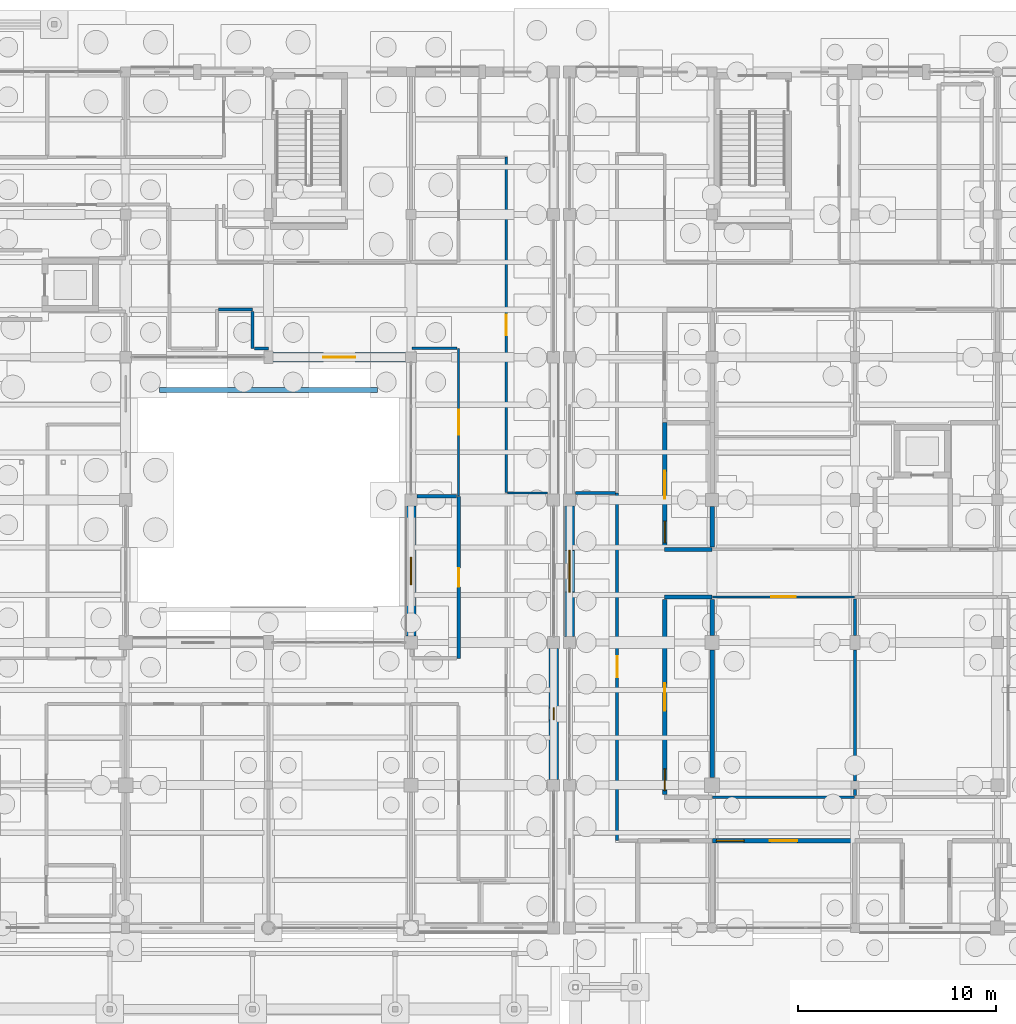
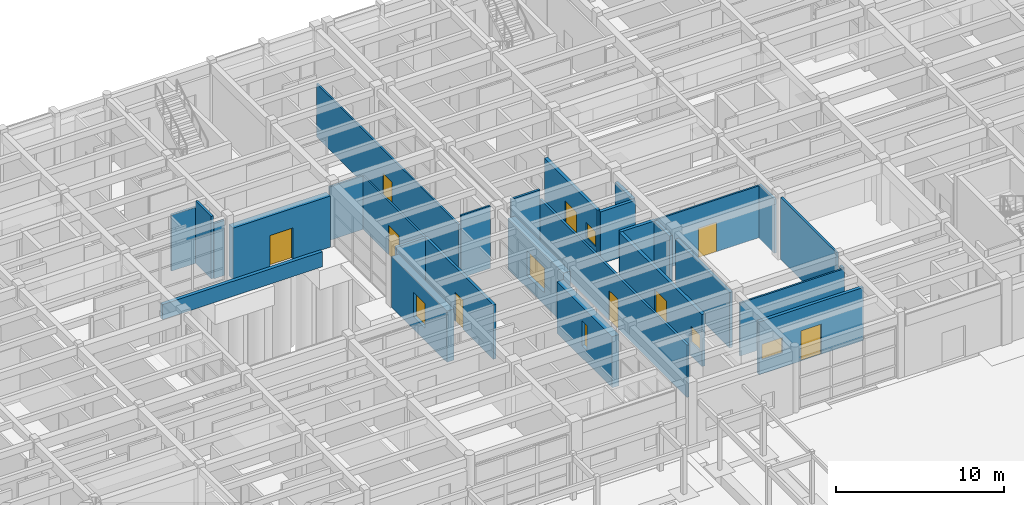
# One storey, part 113 of 143: 29 walls, 9 doors, 6 windows, 15 openings.
"""IFC4 building model written with IfcOpenShell, lengths in metres."""

from ifc_helpers import new_model, si_unit, direction, frame, frame_2d, origin, place, context, subcontext, project, spatial, rectangle, extrude, material, layer, layer_set, type_object, element, fill, save


model = new_model("IFC4")

# Units and contexts
model_context = context("Model", 3, precision=1e-05, world=origin(), true_north=direction((0.0, 1.0)))
body_context = subcontext(model_context, "Body", "Model", "MODEL_VIEW")
ifc_project = project(units=[si_unit("LENGTHUNIT", "METRE"), si_unit("AREAUNIT", "SQUARE_METRE"), si_unit("VOLUMEUNIT", "CUBIC_METRE"), si_unit("PLANEANGLEUNIT", "RADIAN"), si_unit("MASSUNIT", "GRAM", prefix="KILO")], contexts=[model_context])

# Site, building, storey
site_placement = place(None, origin())
site = spatial("IfcSite", under=ifc_project, at=site_placement, CompositionType="ELEMENT")
building_placement = place(site_placement, origin())
building = spatial("IfcBuilding", under=site, at=building_placement, Name="Steenspoor Specialist Clinic", CompositionType="ELEMENT")
storey_placement = place(building_placement, origin())
storey = spatial("IfcBuildingStorey", under=building, at=storey_placement, Name="L00", CompositionType="ELEMENT", Elevation=0.0)

# Wall, opening, window
ifc_material_1 = material(Name="Volcanic basalt ashlar masonry", Category="masonry")
ifc_layer_1 = layer(ifc_material_1, 0.47998046875)
ifc_layer_set_1 = layer_set([ifc_layer_1], Name="Volcanic basalt ashlar masonry")
wall_type_1 = type_object("IfcWallType", Name="W-BASALT-480", PredefinedType="SOLIDWALL", material=ifc_layer_set_1)
wall_1_placement = place(storey_placement, frame((117.199951171875, 79.25, 0.0), z_axis=(0.0, 0.0, 1.0), x_axis=(0.0, -1.0, 0.0)))
wall_1 = element("IfcWall", 1, at=wall_1_placement, inside=storey, type_object=wall_type_1, Name="Exterior Brick Wall EW-V4-L00-0100", PredefinedType="SOLIDWALL", context=body_context, shape_type="SweptSolid", body=[
    extrude(rectangle(XDim=6.60009765625, YDim=0.47998046875, at=frame_2d((3.300048828125, 0.0))), origin(), (0.0, 0.0, 1.0), 3.72998046875),
])
opening_1_placement = place(wall_1_placement, frame((3.0, 0.0, 0.89990234375)))
opening_1 = element("IfcOpeningElement", 2, at=opening_1_placement, cuts=wall_1, Name="Opening WN-01", PredefinedType="OPENING", context=body_context, shape_type="SweptSolid", body=[
    extrude(rectangle(XDim=0.60009765625, YDim=1.800048828125, at=frame_2d((0.300048828125, 0.89990234375))), frame((0.0, 0.25, 0.0), z_axis=(0.0, -1.0, 0.0), x_axis=(1.0, 0.0, 0.0)), (0.0, 0.0, 1.0), 0.5),
])
ifc_material_2 = material(Name="Thermally broken aluminium and low-emissivity glass", Category="aluminium")
window_type_1 = type_object("IfcWindowType", Name="WN-EXT-060X180", PartitioningType="SINGLE_PANEL", PredefinedType="WINDOW", material=ifc_material_2)
window_1_placement = place(opening_1_placement, origin())
window_1 = element("IfcWindow", 3, at=window_1_placement, inside=storey, type_object=window_type_1, Name="Window 0121", OverallHeight=1.800048828125, OverallWidth=0.60009765625, PartitioningType="SINGLE_PANEL", PredefinedType="WINDOW", context=body_context, shape_type="SweptSolid", body=[
    extrude(rectangle(XDim=0.60009765625, YDim=1.800048828125, at=frame_2d((0.300048828125, 0.89990234375))), frame((0.0, 0.030029296875, 0.0), z_axis=(0.0, -1.0, 0.0), x_axis=(1.0, 0.0, 0.0)), (0.0, 0.0, 1.0), 0.06005859375),
])
fill(opening_1, window_1)

wall_2_placement = place(storey_placement, frame((110.0, 79.875, 0.0), z_axis=(0.0, 0.0, 1.0), x_axis=(0.0, 1.0, 0.0)))
wall_2 = element("IfcWall", 4, at=wall_2_placement, inside=storey, type_object=wall_type_1, Name="Exterior Brick Wall EW-V4-L00-0105", PredefinedType="SOLIDWALL", context=body_context, shape_type="SweptSolid", body=[
    extrude(rectangle(XDim=6.574951171875, YDim=0.47998046875, at=frame_2d((3.28759765625, 0.0))), origin(), (0.0, 0.0, 1.0), 3.72998046875),
])
opening_2_placement = place(wall_2_placement, frame((2.58740234375, 0.0, 0.89990234375)))
opening_2 = element("IfcOpeningElement", 5, at=opening_2_placement, cuts=wall_2, Name="Opening WN-06", PredefinedType="OPENING", context=body_context, shape_type="SweptSolid", body=[
    extrude(rectangle(XDim=1.39990234375, YDim=1.800048828125, at=frame_2d((0.699951171875, 0.89990234375))), frame((0.0, 0.25, 0.0), z_axis=(0.0, -1.0, 0.0), x_axis=(1.0, 0.0, 0.0)), (0.0, 0.0, 1.0), 0.5),
])
window_type_2 = type_object("IfcWindowType", Name="WN-EXT-140X180", PartitioningType="SINGLE_PANEL", PredefinedType="WINDOW", material=ifc_material_2)
window_2_placement = place(opening_2_placement, origin())
window_2 = element("IfcWindow", 6, at=window_2_placement, inside=storey, type_object=window_type_2, Name="Window 0126", OverallHeight=1.800048828125, OverallWidth=1.39990234375, PartitioningType="SINGLE_PANEL", PredefinedType="WINDOW", context=body_context, shape_type="SweptSolid", body=[
    extrude(rectangle(XDim=1.39990234375, YDim=1.800048828125, at=frame_2d((0.699951171875, 0.89990234375))), frame((0.0, 0.030029296875, 0.0), z_axis=(0.0, -1.0, 0.0), x_axis=(1.0, 0.0, 0.0)), (0.0, 0.0, 1.0), 0.06005859375),
])
fill(opening_2, window_2)

# Wall, opening, door
wall_3_placement = place(storey_placement, frame((109.72509765625, 93.949951171875, 0.0), z_axis=(0.0, 0.0, 1.0), x_axis=(-1.0, 0.0, 0.0)))
wall_3 = element("IfcWall", 7, at=wall_3_placement, inside=storey, type_object=wall_type_1, Name="Exterior Brick Wall EW-V4-L00-0106", PredefinedType="SOLIDWALL", context=body_context, shape_type="SweptSolid", body=[
    extrude(rectangle(XDim=6.7001953125, YDim=0.47998046875, at=frame_2d((3.35009765625, 0.0))), origin(), (0.0, 0.0, 1.0), 3.72998046875),
])
opening_3_placement = place(wall_3_placement, frame((2.550048828125, 0.0, 0.0)))
opening_3 = element("IfcOpeningElement", 8, at=opening_3_placement, cuts=wall_3, Name="Opening ED20", PredefinedType="OPENING", context=body_context, shape_type="SweptSolid", body=[
    extrude(rectangle(XDim=1.60009765625, YDim=2.300048828125, at=frame_2d((0.800048828125, 1.14990234375))), frame((0.0, 0.25, 0.0), z_axis=(0.0, -1.0, 0.0), x_axis=(1.0, 0.0, 0.0)), (0.0, 0.0, 1.0), 0.5),
])
ifc_material_3 = material(Name="Anodised aluminium and safety glass", Category="aluminium")
door_type_1 = type_object("IfcDoorType", Name="DT-EXIT-160X230", OperationType="NOTDEFINED", PredefinedType="DOOR", material=ifc_material_3)
door_1_placement = place(opening_3_placement, origin())
door_1 = element("IfcDoor", 9, at=door_1_placement, inside=storey, type_object=door_type_1, Name="Main Pedestrian Entrance Exit ED20", OperationType="DOUBLE_DOOR_SINGLE_SWING", OverallHeight=2.300048828125, OverallWidth=1.60009765625, PredefinedType="DOOR", context=body_context, shape_type="SweptSolid", body=[
    extrude(rectangle(XDim=1.60009765625, YDim=2.300048828125, at=frame_2d((0.800048828125, 1.14990234375))), frame((0.0, 0.02490234375, 0.0), z_axis=(0.0, -1.0, 0.0), x_axis=(1.0, 0.0, 0.0)), (0.0, 0.0, 1.0), 0.050048828125),
])
fill(opening_3, door_1)

# Wall, opening, window
wall_4_placement = place(storey_placement, frame((118.0, 79.85009765625, 0.0), z_axis=(0.0, 0.0, 1.0), x_axis=(0.0, 1.0, 0.0)))
wall_4 = element("IfcWall", 10, at=wall_4_placement, inside=storey, type_object=wall_type_1, Name="Exterior Brick Wall EW-V6-L00-0300", PredefinedType="SOLIDWALL", context=body_context, shape_type="SweptSolid", body=[
    extrude(rectangle(XDim=6.599853515625, YDim=0.47998046875, at=frame_2d((3.2998046875, 0.0))), origin(), (0.0, 0.0, 1.0), 3.699951171875),
])
opening_4_placement = place(wall_4_placement, frame((2.25, 0.0, 0.89990234375)))
opening_4 = element("IfcOpeningElement", 11, at=opening_4_placement, cuts=wall_4, Name="Opening WN-09", PredefinedType="OPENING", context=body_context, shape_type="SweptSolid", body=[
    extrude(rectangle(XDim=2.10009765625, YDim=1.800048828125, at=frame_2d((1.050048828125, 0.89990234375))), frame((0.0, 0.25, 0.0), z_axis=(0.0, -1.0, 0.0), x_axis=(1.0, 0.0, 0.0)), (0.0, 0.0, 1.0), 0.5),
])
window_type_3 = type_object("IfcWindowType", Name="WN-EXT-210X180", PartitioningType="SINGLE_PANEL", PredefinedType="WINDOW", material=ifc_material_2)
window_3_placement = place(opening_4_placement, origin())
window_3 = element("IfcWindow", 12, at=window_3_placement, inside=storey, type_object=window_type_3, Name="Window 0321", OverallHeight=1.800048828125, OverallWidth=2.10009765625, PartitioningType="SINGLE_PANEL", PredefinedType="WINDOW", context=body_context, shape_type="SweptSolid", body=[
    extrude(rectangle(XDim=2.10009765625, YDim=1.800048828125, at=frame_2d((1.050048828125, 0.89990234375))), frame((0.0, 0.030029296875, 0.0), z_axis=(0.0, -1.0, 0.0), x_axis=(1.0, 0.0, 0.0)), (0.0, 0.0, 1.0), 0.06005859375),
])
fill(opening_4, window_3)

# Walls
ifc_material_4 = material(Name="Gypsum acoustic clinical partition", Category="gypsum")
ifc_layer_2 = layer(ifc_material_4, 0.14990234375)
ifc_layer_set_2 = layer_set([ifc_layer_2], Name="Gypsum acoustic clinical partition")
wall_type_2 = type_object("IfcWallType", Name="W-CLIN-150", PredefinedType="PARTITIONING", material=ifc_layer_set_2)
wall_5_placement = place(storey_placement, frame((100.2900390625, 96.35009765625, 0.0), z_axis=(0.0, 0.0, 1.0), x_axis=(1.0, 0.0, 0.0)))
element("IfcWall", 13, at=wall_5_placement, inside=storey, type_object=wall_type_2, Name="Interior Partition IW-V4-L00-0260", PredefinedType="PARTITIONING", context=body_context, shape_type="SweptSolid", body=[
    extrude(rectangle(XDim=1.7099609375, YDim=0.14990234375, at=frame_2d((0.85498046875, 0.0))), origin(), (0.0, 0.0, 1.0), 4.074951171875),
])
wall_6_placement = place(storey_placement, frame((102.0, 94.39990234375, 0.0), z_axis=(0.0, 0.0, 1.0), x_axis=(0.0, 1.0, 0.0)))
element("IfcWall", 14, at=wall_6_placement, inside=storey, type_object=wall_type_2, Name="Interior Partition IW-V4-L00-0261", PredefinedType="PARTITIONING", context=body_context, shape_type="SweptSolid", body=[
    extrude(rectangle(XDim=1.860107421875, YDim=0.14990234375, at=frame_2d((0.93017578125, 0.0))), origin(), (0.0, 0.0, 1.0), 4.550048828125),
])
wall_7_placement = place(storey_placement, frame((102.090087890625, 94.39990234375, 0.0), z_axis=(0.0, 0.0, 1.0), x_axis=(1.0, 0.0, 0.0)))
element("IfcWall", 15, at=wall_7_placement, inside=storey, type_object=wall_type_2, Name="Interior Partition IW-V4-L00-0262", PredefinedType="PARTITIONING", context=body_context, shape_type="SweptSolid", body=[
    extrude(rectangle(XDim=0.7099609375, YDim=0.14990234375, at=frame_2d((0.35498046875, 0.0))), origin(), (0.0, 0.0, 1.0), 4.014892578125),
])

# Wall, opening, door
wall_8_placement = place(storey_placement, frame((120.39990234375, 69.550048828125, 0.0), z_axis=(0.0, 0.0, 1.0), x_axis=(0.0, 1.0, 0.0)))
wall_8 = element("IfcWall", 16, at=wall_8_placement, inside=storey, type_object=wall_type_2, Name="Interior Partition IW-V6-L00-0276", PredefinedType="PARTITIONING", context=body_context, shape_type="SweptSolid", body=[
    extrude(rectangle(XDim=17.550048828125, YDim=0.14990234375, at=frame_2d((8.77490234375, 0.0))), origin(), (0.0, 0.0, 1.0), 3.804931640625),
])
opening_5_placement = place(wall_8_placement, frame((8.25, 0.0, 0.0)))
opening_5 = element("IfcOpeningElement", 17, at=opening_5_placement, cuts=wall_8, Name="Opening D0400", PredefinedType="OPENING", context=body_context, shape_type="SweptSolid", body=[
    extrude(rectangle(XDim=1.050048828125, YDim=2.14990234375, at=frame_2d((0.52490234375, 1.074951171875))), frame((0.0, 0.0849609375, 0.0), z_axis=(0.0, -1.0, 0.0), x_axis=(1.0, 0.0, 0.0)), (0.0, 0.0, 1.0), 0.169921875),
])
ifc_material_5 = material(Name="Solid-core hardwood office door", Category="wood")
door_type_2 = type_object("IfcDoorType", Name="DT-OFF-105X215", OperationType="NOTDEFINED", PredefinedType="DOOR", material=ifc_material_5)
door_2_placement = place(opening_5_placement, origin())
door_2 = element("IfcDoor", 18, at=door_2_placement, inside=storey, type_object=door_type_2, Name="Clinical Door D0400", OperationType="SINGLE_SWING_LEFT", OverallHeight=2.14990234375, OverallWidth=1.050048828125, PredefinedType="DOOR", context=body_context, shape_type="SweptSolid", body=[
    extrude(rectangle(XDim=1.050048828125, YDim=2.14990234375, at=frame_2d((0.52490234375, 1.074951171875))), frame((0.0, 0.02490234375, 0.0), z_axis=(0.0, -1.0, 0.0), x_axis=(1.0, 0.0, 0.0)), (0.0, 0.0, 1.0), 0.050048828125),
])
fill(opening_5, door_2)

# Walls
wall_9_placement = place(storey_placement, frame((118.31494140625, 87.10009765625, 0.0), z_axis=(0.0, 0.0, 1.0), x_axis=(1.0, 0.0, 0.0)))
element("IfcWall", 19, at=wall_9_placement, inside=storey, type_object=wall_type_2, Name="Interior Partition IW-V6-L00-0634", PredefinedType="PARTITIONING", context=body_context, shape_type="SweptSolid", body=[
    extrude(rectangle(XDim=1.9951171875, YDim=0.14990234375, at=frame_2d((0.99755859375, 0.0))), origin(), (0.0, 0.0, 1.0), 4.52001953125),
])
wall_10_placement = place(storey_placement, frame((132.39990234375, 71.840087890625, 0.0), z_axis=(0.0, 0.0, 1.0), x_axis=(0.0, 1.0, 0.0)))
element("IfcWall", 20, at=wall_10_placement, inside=storey, type_object=wall_type_2, Name="Interior Partition IW-V6-L00-0642", PredefinedType="PARTITIONING", context=body_context, shape_type="SweptSolid", body=[
    extrude(rectangle(XDim=0.294921875, YDim=0.14990234375, at=frame_2d((0.1474609375, 0.0))), origin(), (0.0, 0.0, 1.0), 3.85498046875),
])
wall_11_placement = place(storey_placement, frame((132.39990234375, 72.56494140625, 0.0), z_axis=(0.0, 0.0, 1.0), x_axis=(0.0, 1.0, 0.0)))
element("IfcWall", 21, at=wall_11_placement, inside=storey, type_object=wall_type_2, Name="Interior Partition IW-V6-L00-0643", PredefinedType="PARTITIONING", context=body_context, shape_type="SweptSolid", body=[
    extrude(rectangle(XDim=6.6201171875, YDim=0.14990234375, at=frame_2d((3.31005859375, 0.0))), origin(), (0.0, 0.0, 1.0), 4.52001953125),
])
wall_12_placement = place(storey_placement, frame((132.39990234375, 79.9150390625, 0.0), z_axis=(0.0, 0.0, 1.0), x_axis=(0.0, 1.0, 0.0)))
element("IfcWall", 22, at=wall_12_placement, inside=storey, type_object=wall_type_2, Name="Interior Partition IW-V6-L00-0644", PredefinedType="PARTITIONING", context=body_context, shape_type="SweptSolid", body=[
    extrude(rectangle(XDim=1.844970703125, YDim=0.14990234375, at=frame_2d((0.92236328125, 0.0))), origin(), (0.0, 0.0, 1.0), 3.925048828125),
])

# Wall, openings, door, window
ifc_material_6 = material(Name="Fire-rated clay blockwork masonry", Category="masonry")
ifc_layer_3 = layer(ifc_material_6, 0.219970703125)
ifc_layer_set_3 = layer_set([ifc_layer_3], Name="Fire-rated clay blockwork masonry")
wall_type_3 = type_object("IfcWallType", Name="W-FIRE-220", PredefinedType="PARTITIONING", material=ifc_layer_set_3)
wall_13_placement = place(storey_placement, frame((125.215087890625, 69.550048828125, 0.0), z_axis=(0.0, 0.0, 1.0), x_axis=(1.0, 0.0, 0.0)))
wall_13 = element("IfcWall", 23, at=wall_13_placement, inside=storey, type_object=wall_type_3, Name="Interior Partition IW-V6-L00-0092", PredefinedType="PARTITIONING", context=body_context, shape_type="SweptSolid", body=[
    extrude(rectangle(XDim=7.184814453125, YDim=0.219970703125, at=frame_2d((3.59228515625, 0.0))), origin(), (0.0, 0.0, 1.0), 3.85498046875),
])
opening_6_placement = place(wall_13_placement, frame((2.892578125, 0.0, 0.0)))
opening_6 = element("IfcOpeningElement", 24, at=opening_6_placement, cuts=wall_13, Name="Opening D0402", PredefinedType="OPENING", context=body_context, shape_type="SweptSolid", body=[
    extrude(rectangle(XDim=1.39990234375, YDim=2.199951171875, at=frame_2d((0.699951171875, 1.10009765625))), frame((0.0, 0.1201171875, 0.0), z_axis=(0.0, -1.0, 0.0), x_axis=(1.0, 0.0, 0.0)), (0.0, 0.0, 1.0), 0.239990234375),
])
opening_7_placement = place(wall_13_placement, frame((0.199951171875, 0.0, 1.050048828125)))
opening_7 = element("IfcOpeningElement", 25, at=opening_7_placement, cuts=wall_13, Name="Opening IWN-01", PredefinedType="OPENING", context=body_context, shape_type="SweptSolid", body=[
    extrude(rectangle(XDim=1.39990234375, YDim=1.10009765625, at=frame_2d((0.699951171875, 0.550048828125))), frame((0.0, 0.1201171875, 0.0), z_axis=(0.0, -1.0, 0.0), x_axis=(1.0, 0.0, 0.0)), (0.0, 0.0, 1.0), 0.239990234375),
])
ifc_material_7 = material(Name="Fire-rated clinical laminate door", Category="steel")
door_type_3 = type_object("IfcDoorType", Name="DT-LAB-140X220", OperationType="NOTDEFINED", PredefinedType="DOOR", material=ifc_material_7)
door_3_placement = place(opening_6_placement, origin())
door_3 = element("IfcDoor", 26, at=door_3_placement, inside=storey, type_object=door_type_3, Name="Clinical Door D0402", OperationType="SINGLE_SWING_LEFT", OverallHeight=2.199951171875, OverallWidth=1.39990234375, PredefinedType="DOOR", context=body_context, shape_type="SweptSolid", body=[
    extrude(rectangle(XDim=1.39990234375, YDim=2.199951171875, at=frame_2d((0.699951171875, 1.10009765625))), frame((0.0, 0.02490234375, 0.0), z_axis=(0.0, -1.0, 0.0), x_axis=(1.0, 0.0, 0.0)), (0.0, 0.0, 1.0), 0.050048828125),
])
fill(opening_6, door_3)
window_type_4 = type_object("IfcWindowType", Name="IWND-OBS-140X110", PartitioningType="SINGLE_PANEL", PredefinedType="WINDOW", material=ifc_material_2)
window_4_placement = place(opening_7_placement, origin())
window_4 = element("IfcWindow", 27, at=window_4_placement, inside=storey, type_object=window_type_4, Name="Observation Window 005", OverallHeight=1.10009765625, OverallWidth=1.39990234375, PartitioningType="SINGLE_PANEL", PredefinedType="WINDOW", context=body_context, shape_type="SweptSolid", body=[
    extrude(rectangle(XDim=1.39990234375, YDim=1.10009765625, at=frame_2d((0.699951171875, 0.550048828125))), frame((0.0, 0.030029296875, 0.0), z_axis=(0.0, -1.0, 0.0), x_axis=(1.0, 0.0, 0.0)), (0.0, 0.0, 1.0), 0.06005859375),
])
fill(opening_7, window_4)

# Wall
wall_14_placement = place(storey_placement, frame((122.800048828125, 81.85009765625, 0.0), z_axis=(0.0, 0.0, 1.0), x_axis=(1.0, 0.0, 0.0)))
element("IfcWall", 28, at=wall_14_placement, inside=storey, type_object=wall_type_3, Name="Interior Partition IW-V6-L00-0100", PredefinedType="PARTITIONING", context=body_context, shape_type="SweptSolid", body=[
    extrude(rectangle(XDim=2.39990234375, YDim=0.219970703125, at=frame_2d((1.199951171875, 0.0))), origin(), (0.0, 0.0, 1.0), 3.784912109375),
])

# Wall, openings, door, window
wall_15_placement = place(storey_placement, frame((122.800048828125, 71.875, 0.0), z_axis=(0.0, 0.0, 1.0), x_axis=(0.0, 1.0, 0.0)))
wall_15 = element("IfcWall", 29, at=wall_15_placement, inside=storey, type_object=wall_type_3, Name="Interior Partition IW-V6-L00-0102", PredefinedType="PARTITIONING", context=body_context, shape_type="SweptSolid", body=[
    extrude(rectangle(XDim=9.85009765625, YDim=0.219970703125, at=frame_2d((4.925048828125, 0.0))), origin(), (0.0, 0.0, 1.0), 3.804931640625),
])
opening_8_placement = place(wall_15_placement, frame((4.22509765625, 0.0, 0.0)))
opening_8 = element("IfcOpeningElement", 30, at=opening_8_placement, cuts=wall_15, Name="Opening D0408", PredefinedType="OPENING", context=body_context, shape_type="SweptSolid", body=[
    extrude(rectangle(XDim=1.39990234375, YDim=2.199951171875, at=frame_2d((0.699951171875, 1.10009765625))), frame((0.0, 0.1201171875, 0.0), z_axis=(0.0, -1.0, 0.0), x_axis=(1.0, 0.0, 0.0)), (0.0, 0.0, 1.0), 0.239990234375),
])
opening_9_placement = place(wall_15_placement, frame((0.199951171875, 0.0, 1.050048828125)))
opening_9 = element("IfcOpeningElement", 31, at=opening_9_placement, cuts=wall_15, Name="Opening IWN-02", PredefinedType="OPENING", context=body_context, shape_type="SweptSolid", body=[
    extrude(rectangle(XDim=1.10009765625, YDim=1.10009765625, at=frame_2d((0.550048828125, 0.550048828125))), frame((0.0, 0.1201171875, 0.0), z_axis=(0.0, -1.0, 0.0), x_axis=(1.0, 0.0, 0.0)), (0.0, 0.0, 1.0), 0.239990234375),
])
door_4_placement = place(opening_8_placement, origin())
door_4 = element("IfcDoor", 32, at=door_4_placement, inside=storey, type_object=door_type_3, Name="Clinical Door D0408", OperationType="SINGLE_SWING_LEFT", OverallHeight=2.199951171875, OverallWidth=1.39990234375, PredefinedType="DOOR", context=body_context, shape_type="SweptSolid", body=[
    extrude(rectangle(XDim=1.39990234375, YDim=2.199951171875, at=frame_2d((0.699951171875, 1.10009765625))), frame((0.0, 0.02490234375, 0.0), z_axis=(0.0, -1.0, 0.0), x_axis=(1.0, 0.0, 0.0)), (0.0, 0.0, 1.0), 0.050048828125),
])
fill(opening_8, door_4)
window_type_5 = type_object("IfcWindowType", Name="IWND-OBS-110X110", PartitioningType="SINGLE_PANEL", PredefinedType="WINDOW", material=ifc_material_2)
window_5_placement = place(opening_9_placement, origin())
window_5 = element("IfcWindow", 33, at=window_5_placement, inside=storey, type_object=window_type_5, Name="Observation Window 006", OverallHeight=1.10009765625, OverallWidth=1.10009765625, PartitioningType="SINGLE_PANEL", PredefinedType="WINDOW", context=body_context, shape_type="SweptSolid", body=[
    extrude(rectangle(XDim=1.10009765625, YDim=1.10009765625, at=frame_2d((0.550048828125, 0.550048828125))), frame((0.0, 0.030029296875, 0.0), z_axis=(0.0, -1.0, 0.0), x_axis=(1.0, 0.0, 0.0)), (0.0, 0.0, 1.0), 0.06005859375),
])
fill(opening_9, window_5)

# Wall
wall_16_placement = place(storey_placement, frame((122.800048828125, 84.25, 0.0), z_axis=(0.0, 0.0, 1.0), x_axis=(1.0, 0.0, 0.0)))
element("IfcWall", 34, at=wall_16_placement, inside=storey, type_object=wall_type_3, Name="Interior Partition IW-V6-L00-0106", PredefinedType="PARTITIONING", context=body_context, shape_type="SweptSolid", body=[
    extrude(rectangle(XDim=2.39990234375, YDim=0.219970703125, at=frame_2d((1.199951171875, 0.0))), origin(), (0.0, 0.0, 1.0), 3.784912109375),
])

# Wall, openings, door, window
wall_17_placement = place(storey_placement, frame((122.800048828125, 84.375, 0.0), z_axis=(0.0, 0.0, 1.0), x_axis=(0.0, 1.0, 0.0)))
wall_17 = element("IfcWall", 35, at=wall_17_placement, inside=storey, type_object=wall_type_3, Name="Interior Partition IW-V6-L00-0107", PredefinedType="PARTITIONING", context=body_context, shape_type="SweptSolid", body=[
    extrude(rectangle(XDim=6.27490234375, YDim=0.219970703125, at=frame_2d((3.137451171875, 0.0))), origin(), (0.0, 0.0, 1.0), 3.804931640625),
])
opening_10_placement = place(wall_17_placement, frame((2.4375, 0.0, 0.0)))
opening_10 = element("IfcOpeningElement", 36, at=opening_10_placement, cuts=wall_17, Name="Opening D0412", PredefinedType="OPENING", context=body_context, shape_type="SweptSolid", body=[
    extrude(rectangle(XDim=1.39990234375, YDim=2.199951171875, at=frame_2d((0.699951171875, 1.10009765625))), frame((0.0, 0.1201171875, 0.0), z_axis=(0.0, -1.0, 0.0), x_axis=(1.0, 0.0, 0.0)), (0.0, 0.0, 1.0), 0.239990234375),
])
opening_11_placement = place(wall_17_placement, frame((0.199951171875, 0.0, 1.050048828125)))
opening_11 = element("IfcOpeningElement", 37, at=opening_11_placement, cuts=wall_17, Name="Opening IWN-02", PredefinedType="OPENING", context=body_context, shape_type="SweptSolid", body=[
    extrude(rectangle(XDim=1.10009765625, YDim=1.10009765625, at=frame_2d((0.550048828125, 0.550048828125))), frame((0.0, 0.1201171875, 0.0), z_axis=(0.0, -1.0, 0.0), x_axis=(1.0, 0.0, 0.0)), (0.0, 0.0, 1.0), 0.239990234375),
])
door_5_placement = place(opening_10_placement, origin())
door_5 = element("IfcDoor", 38, at=door_5_placement, inside=storey, type_object=door_type_3, Name="Clinical Door D0412", OperationType="SINGLE_SWING_LEFT", OverallHeight=2.199951171875, OverallWidth=1.39990234375, PredefinedType="DOOR", context=body_context, shape_type="SweptSolid", body=[
    extrude(rectangle(XDim=1.39990234375, YDim=2.199951171875, at=frame_2d((0.699951171875, 1.10009765625))), frame((0.0, 0.02490234375, 0.0), z_axis=(0.0, -1.0, 0.0), x_axis=(1.0, 0.0, 0.0)), (0.0, 0.0, 1.0), 0.050048828125),
])
fill(opening_10, door_5)
window_6_placement = place(opening_11_placement, origin())
window_6 = element("IfcWindow", 39, at=window_6_placement, inside=storey, type_object=window_type_5, Name="Observation Window 008", OverallHeight=1.10009765625, OverallWidth=1.10009765625, PartitioningType="SINGLE_PANEL", PredefinedType="WINDOW", context=body_context, shape_type="SweptSolid", body=[
    extrude(rectangle(XDim=1.10009765625, YDim=1.10009765625, at=frame_2d((0.550048828125, 0.550048828125))), frame((0.0, 0.030029296875, 0.0), z_axis=(0.0, -1.0, 0.0), x_axis=(1.0, 0.0, 0.0)), (0.0, 0.0, 1.0), 0.06005859375),
])
fill(opening_11, window_6)

# Walls
wall_18_placement = place(storey_placement, frame((125.199951171875, 72.739990234375, 0.0), z_axis=(0.0, 0.0, 1.0), x_axis=(0.0, 1.0, 0.0)))
element("IfcWall", 40, at=wall_18_placement, inside=storey, type_object=wall_type_3, Name="Interior Partition IW-V6-L00-0465", PredefinedType="PARTITIONING", context=body_context, shape_type="SweptSolid", body=[
    extrude(rectangle(XDim=6.445068359375, YDim=0.219970703125, at=frame_2d((3.22265625, 0.0))), origin(), (0.0, 0.0, 1.0), 4.02490234375),
])
wall_19_placement = place(storey_placement, frame((125.199951171875, 79.9150390625, 0.0), z_axis=(0.0, 0.0, 1.0), x_axis=(0.0, 1.0, 0.0)))
element("IfcWall", 41, at=wall_19_placement, inside=storey, type_object=wall_type_3, Name="Interior Partition IW-V6-L00-0466", PredefinedType="PARTITIONING", context=body_context, shape_type="SweptSolid", body=[
    extrude(rectangle(XDim=1.81005859375, YDim=0.219970703125, at=frame_2d((0.905029296875, 0.0))), origin(), (0.0, 0.0, 1.0), 3.784912109375),
])
wall_20_placement = place(storey_placement, frame((125.199951171875, 84.375, 0.0), z_axis=(0.0, 0.0, 1.0), x_axis=(0.0, 1.0, 0.0)))
element("IfcWall", 42, at=wall_20_placement, inside=storey, type_object=wall_type_3, Name="Interior Partition IW-V6-L00-0468", PredefinedType="PARTITIONING", context=body_context, shape_type="SweptSolid", body=[
    extrude(rectangle(XDim=2.034912109375, YDim=0.219970703125, at=frame_2d((1.017578125, 0.0))), origin(), (0.0, 0.0, 1.0), 3.784912109375),
])
ifc_material_8 = material(Name="Extruded clay brick masonry", Category="masonry")
ifc_layer_4 = layer(ifc_material_8, 0.239990234375)
ifc_layer_set_4 = layer_set([ifc_layer_4], Name="Extruded clay brick masonry")
wall_type_4 = type_object("IfcWallType", Name="W-PARAPET-240", PredefinedType="PARAPET", material=ifc_layer_set_4)
wall_21_placement = place(storey_placement, frame((97.300048828125, 92.300048828125, 0.0), z_axis=(0.0, 0.0, 1.0), x_axis=(1.0, 0.0, 0.0)))
element("IfcWall", 43, at=wall_21_placement, inside=storey, type_object=wall_type_4, Name="Courtyard Planter Parapet PW-GARDEN-04", PredefinedType="PARAPET", context=body_context, shape_type="SweptSolid", body=[
    extrude(rectangle(XDim=11.0, YDim=0.239990234375, at=frame_2d((5.5, 0.0))), origin(), (0.0, 0.0, 1.0), 1.10009765625),
])

# Wall, opening, door
ifc_material_9 = material(Name="Gypsum studio partition board", Category="gypsum")
ifc_layer_5 = layer(ifc_material_9, 0.1201171875)
ifc_layer_set_5 = layer_set([ifc_layer_5], Name="Gypsum studio partition board")
wall_type_5 = type_object("IfcWallType", Name="W-PART-120", PredefinedType="PARTITIONING", material=ifc_layer_set_5)
wall_22_placement = place(storey_placement, frame((112.39990234375, 86.93994140625, 0.0), z_axis=(0.0, 0.0, 1.0), x_axis=(0.0, 1.0, 0.0)))
wall_22 = element("IfcWall", 44, at=wall_22_placement, inside=storey, type_object=wall_type_5, Name="Interior Partition IW-V4-L00-0341", PredefinedType="PARTITIONING", context=body_context, shape_type="SweptSolid", body=[
    extrude(rectangle(XDim=7.4599609375, YDim=0.1201171875, at=frame_2d((3.72998046875, 0.0))), origin(), (0.0, 0.0, 1.0), 3.885009765625),
])
opening_12_placement = place(wall_22_placement, frame((3.10498046875, 0.0, 0.0)))
opening_12 = element("IfcOpeningElement", 45, at=opening_12_placement, cuts=wall_22, Name="Opening D0170", PredefinedType="OPENING", context=body_context, shape_type="SweptSolid", body=[
    extrude(rectangle(XDim=1.25, YDim=2.14990234375, at=frame_2d((0.625, 1.074951171875))), frame((0.0, 0.070068359375, 0.0), z_axis=(0.0, -1.0, 0.0), x_axis=(1.0, 0.0, 0.0)), (0.0, 0.0, 1.0), 0.14013671875),
])
ifc_material_10 = material(Name="Hygienic HPL clinical timber door", Category="wood")
door_type_4 = type_object("IfcDoorType", Name="DT-EXAM-125X215", OperationType="NOTDEFINED", PredefinedType="DOOR", material=ifc_material_10)
door_6_placement = place(opening_12_placement, origin())
door_6 = element("IfcDoor", 46, at=door_6_placement, inside=storey, type_object=door_type_4, Name="Clinical Door D0170", OperationType="SINGLE_SWING_LEFT", OverallHeight=2.14990234375, OverallWidth=1.25, PredefinedType="DOOR", context=body_context, shape_type="SweptSolid", body=[
    extrude(rectangle(XDim=1.25, YDim=2.14990234375, at=frame_2d((0.625, 1.074951171875))), frame((0.0, 0.02490234375, 0.0), z_axis=(0.0, -1.0, 0.0), x_axis=(1.0, 0.0, 0.0)), (0.0, 0.0, 1.0), 0.050048828125),
])
fill(opening_12, door_6)

# Wall
wall_23_placement = place(storey_placement, frame((110.0400390625, 94.39990234375, 0.0), z_axis=(0.0, 0.0, 1.0), x_axis=(1.0, 0.0, 0.0)))
element("IfcWall", 47, at=wall_23_placement, inside=storey, type_object=wall_type_5, Name="Interior Partition IW-V4-L00-0342", PredefinedType="PARTITIONING", context=body_context, shape_type="SweptSolid", body=[
    extrude(rectangle(XDim=2.284912109375, YDim=0.1201171875, at=frame_2d((1.142578125, 0.0))), origin(), (0.0, 0.0, 1.0), 3.885009765625),
])

# Wall, opening, door
wall_24_placement = place(storey_placement, frame((114.800048828125, 87.114990234375, 0.0), z_axis=(0.0, 0.0, 1.0), x_axis=(0.0, 1.0, 0.0)))
wall_24 = element("IfcWall", 48, at=wall_24_placement, inside=storey, type_object=wall_type_5, Name="Interior Partition IW-V4-L00-0343", PredefinedType="PARTITIONING", context=body_context, shape_type="SweptSolid", body=[
    extrude(rectangle(XDim=16.93505859375, YDim=0.1201171875, at=frame_2d((8.467529296875, 0.0))), origin(), (0.0, 0.0, 1.0), 3.885009765625),
])
opening_13_placement = place(wall_24_placement, frame((7.9423828125, 0.0, 0.0)))
opening_13 = element("IfcOpeningElement", 49, at=opening_13_placement, cuts=wall_24, Name="Opening D0172", PredefinedType="OPENING", context=body_context, shape_type="SweptSolid", body=[
    extrude(rectangle(XDim=1.050048828125, YDim=2.14990234375, at=frame_2d((0.52490234375, 1.074951171875))), frame((0.0, 0.070068359375, 0.0), z_axis=(0.0, -1.0, 0.0), x_axis=(1.0, 0.0, 0.0)), (0.0, 0.0, 1.0), 0.14013671875),
])
door_7_placement = place(opening_13_placement, origin())
door_7 = element("IfcDoor", 50, at=door_7_placement, inside=storey, type_object=door_type_2, Name="Clinical Door D0172", OperationType="SINGLE_SWING_LEFT", OverallHeight=2.14990234375, OverallWidth=1.050048828125, PredefinedType="DOOR", context=body_context, shape_type="SweptSolid", body=[
    extrude(rectangle(XDim=1.050048828125, YDim=2.14990234375, at=frame_2d((0.52490234375, 1.074951171875))), frame((0.0, 0.02490234375, 0.0), z_axis=(0.0, -1.0, 0.0), x_axis=(1.0, 0.0, 0.0)), (0.0, 0.0, 1.0), 0.050048828125),
])
fill(opening_13, door_7)

wall_25_placement = place(storey_placement, frame((125.215087890625, 81.85009765625, 0.0), z_axis=(0.0, 0.0, 1.0), x_axis=(1.0, 0.0, 0.0)))
wall_25 = element("IfcWall", 51, at=wall_25_placement, inside=storey, type_object=wall_type_5, Name="Interior Partition IW-V6-L00-0383", PredefinedType="PARTITIONING", context=body_context, shape_type="SweptSolid", body=[
    extrude(rectangle(XDim=7.169921875, YDim=0.1201171875, at=frame_2d((3.5849609375, 0.0))), origin(), (0.0, 0.0, 1.0), 3.784912109375),
])
opening_14_placement = place(wall_25_placement, frame((2.9599609375, 0.0, 0.0)))
opening_14 = element("IfcOpeningElement", 52, at=opening_14_placement, cuts=wall_25, Name="Opening D0409", PredefinedType="OPENING", context=body_context, shape_type="SweptSolid", body=[
    extrude(rectangle(XDim=1.25, YDim=2.14990234375, at=frame_2d((0.625, 1.074951171875))), frame((0.0, 0.070068359375, 0.0), z_axis=(0.0, -1.0, 0.0), x_axis=(1.0, 0.0, 0.0)), (0.0, 0.0, 1.0), 0.14013671875),
])
door_8_placement = place(opening_14_placement, origin())
door_8 = element("IfcDoor", 53, at=door_8_placement, inside=storey, type_object=door_type_4, Name="Clinical Door D0409", OperationType="SINGLE_SWING_RIGHT", OverallHeight=2.14990234375, OverallWidth=1.25, PredefinedType="DOOR", context=body_context, shape_type="SweptSolid", body=[
    extrude(rectangle(XDim=1.25, YDim=2.14990234375, at=frame_2d((0.625, 1.074951171875))), frame((0.0, 0.02490234375, 0.0), z_axis=(0.0, -1.0, 0.0), x_axis=(1.0, 0.0, 0.0)), (0.0, 0.0, 1.0), 0.050048828125),
])
fill(opening_14, door_8)

# Walls
wall_26_placement = place(storey_placement, frame((125.215087890625, 71.75, 0.0), z_axis=(0.0, 0.0, 1.0), x_axis=(1.0, 0.0, 0.0)))
element("IfcWall", 54, at=wall_26_placement, inside=storey, type_object=wall_type_5, Name="Interior Partition IW-V6-L00-0384", PredefinedType="PARTITIONING", context=body_context, shape_type="SweptSolid", body=[
    extrude(rectangle(XDim=7.169921875, YDim=0.1201171875, at=frame_2d((3.5849609375, 0.0))), origin(), (0.0, 0.0, 1.0), 3.85498046875),
])
wall_27_placement = place(storey_placement, frame((114.875, 87.10009765625, 0.0), z_axis=(0.0, 0.0, 1.0), x_axis=(1.0, 0.0, 0.0)))
element("IfcWall", 55, at=wall_27_placement, inside=storey, type_object=wall_type_5, Name="Interior Partition IW-V4-L00-0657", PredefinedType="PARTITIONING", context=body_context, shape_type="SweptSolid", body=[
    extrude(rectangle(XDim=2.010009765625, YDim=0.1201171875, at=frame_2d((1.0048828125, 0.0))), origin(), (0.0, 0.0, 1.0), 4.550048828125),
])

# Wall, opening, door
ifc_material_11 = material(Name="Moisture-resistant gypsum plumbing wall", Category="gypsum")
ifc_layer_6 = layer(ifc_material_11, 0.179931640625)
ifc_layer_set_6 = layer_set([ifc_layer_6], Name="Moisture-resistant gypsum plumbing wall")
wall_type_6 = type_object("IfcWallType", Name="W-PLUMB-180", PredefinedType="PLUMBINGWALL", material=ifc_layer_set_6)
wall_28_placement = place(storey_placement, frame((112.39990234375, 78.75, 0.0), z_axis=(0.0, 0.0, 1.0), x_axis=(0.0, 1.0, 0.0)))
wall_28 = element("IfcWall", 56, at=wall_28_placement, inside=storey, type_object=wall_type_6, Name="Interior Partition IW-V4-L00-0140", PredefinedType="PLUMBINGWALL", context=body_context, shape_type="SweptSolid", body=[
    extrude(rectangle(XDim=8.175048828125, YDim=0.179931640625, at=frame_2d((4.08740234375, 0.0))), origin(), (0.0, 0.0, 1.0), 3.955078125),
])
opening_15_placement = place(wall_28_placement, frame((3.612548828125, 0.0, 0.0)))
opening_15 = element("IfcOpeningElement", 57, at=opening_15_placement, cuts=wall_28, Name="Opening D0168", PredefinedType="OPENING", context=body_context, shape_type="SweptSolid", body=[
    extrude(rectangle(XDim=0.949951171875, YDim=2.10009765625, at=frame_2d((0.47509765625, 1.050048828125))), frame((0.0, 0.10009765625, 0.0), z_axis=(0.0, -1.0, 0.0), x_axis=(1.0, 0.0, 0.0)), (0.0, 0.0, 1.0), 0.199951171875),
])
ifc_material_12 = material(Name="Moisture-resistant HPL sanitary door", Category="wood")
door_type_5 = type_object("IfcDoorType", Name="DT-WC-095X210", OperationType="NOTDEFINED", PredefinedType="DOOR", material=ifc_material_12)
door_9_placement = place(opening_15_placement, origin())
door_9 = element("IfcDoor", 58, at=door_9_placement, inside=storey, type_object=door_type_5, Name="Clinical Door D0168", OperationType="SINGLE_SWING_LEFT", OverallHeight=2.10009765625, OverallWidth=0.949951171875, PredefinedType="DOOR", context=body_context, shape_type="SweptSolid", body=[
    extrude(rectangle(XDim=0.949951171875, YDim=2.10009765625, at=frame_2d((0.47509765625, 1.050048828125))), frame((0.0, 0.02490234375, 0.0), z_axis=(0.0, -1.0, 0.0), x_axis=(1.0, 0.0, 0.0)), (0.0, 0.0, 1.0), 0.050048828125),
])
fill(opening_15, door_9)

# Wall
wall_29_placement = place(storey_placement, frame((110.31494140625, 86.925048828125, 0.0), z_axis=(0.0, 0.0, 1.0), x_axis=(1.0, 0.0, 0.0)))
element("IfcWall", 59, at=wall_29_placement, inside=storey, type_object=wall_type_6, Name="Interior Partition IW-V4-L00-0521", PredefinedType="PLUMBINGWALL", context=body_context, shape_type="SweptSolid", body=[
    extrude(rectangle(XDim=1.97998046875, YDim=0.179931640625, at=frame_2d((0.989990234375, 0.0))), origin(), (0.0, 0.0, 1.0), 3.955078125),
])

save(model, "model.ifc")
